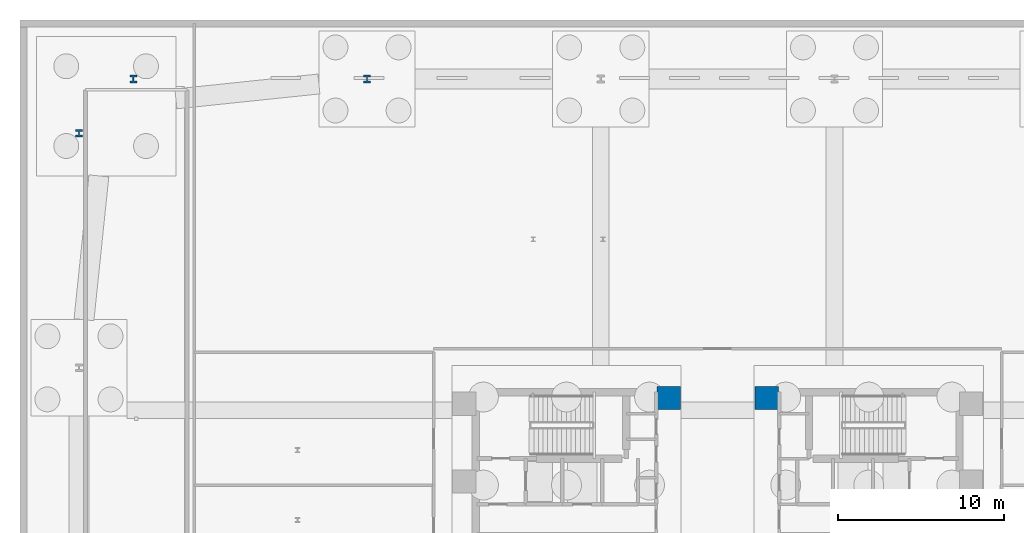
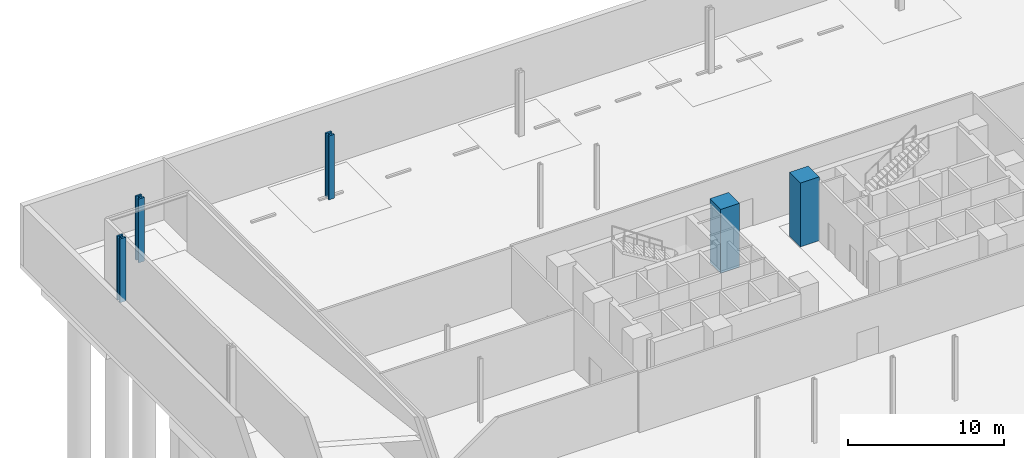
# One storey, part 6 of 16: 5 columns.
"""IFC4 building model written with IfcOpenShell, lengths in metres."""

from ifc_helpers import new_model, si_unit, direction, frame, origin, origin_2d, place, context, subcontext, project, spatial, rectangle, i_section, extrude, material, material_profile, profile_set, type_object, element, save


model = new_model("IFC4")

# Units and contexts
model_context = context("Model", 3, precision=1e-05, world=origin(), true_north=direction((0.0, 1.0)))
body_context = subcontext(model_context, "Body", "Model", "MODEL_VIEW")
ifc_project = project(units=[si_unit("LENGTHUNIT", "METRE"), si_unit("AREAUNIT", "SQUARE_METRE"), si_unit("VOLUMEUNIT", "CUBIC_METRE"), si_unit("PLANEANGLEUNIT", "RADIAN"), si_unit("MASSUNIT", "GRAM", prefix="KILO")], contexts=[model_context])

# Site, building, storey
site_placement = place(None, origin())
site = spatial("IfcSite", under=ifc_project, at=site_placement, CompositionType="ELEMENT")
building_placement = place(site_placement, origin())
building = spatial("IfcBuilding", under=site, at=building_placement, Name="Menara Jurai Vektor", CompositionType="ELEMENT")
storey_placement = place(building_placement, frame((0.0, 0.0, -5.0)))
storey = spatial("IfcBuildingStorey", under=building, at=storey_placement, Name="B1", CompositionType="ELEMENT", Elevation=-5.0)

# Columns
ifc_material_1 = material(Name="Concrete C60/75", Category="concrete")
ifc_material_profile_1 = material_profile(ifc_material_1, rectangle(XDim=1.39990234375, YDim=1.39990234375, at=origin_2d()), Name="RC 1400x1400")
ifc_profile_set_1 = profile_set([ifc_material_profile_1], Name="Concrete C60/75")
column_type_1 = type_object("IfcColumnType", Name="STR-COL-RC1400", PredefinedType="COLUMN", material=ifc_profile_set_1)
for number, where, z_axis, x_axis, name in (
    (1, (-2.949951171875, 5.25, 0.0), (0.0, 0.0, 1.0), (1.0, 0.0, 0.0), "Core Spine Column CW-NE B1"),
    (2, (2.949951171875, 5.25, 0.0), (0.0, 0.0, 1.0), (1.0, 0.0, 0.0), "Core Spine Column CE-NW B1"),
):
    element("IfcColumn", number, at=place(storey_placement, frame(where, z_axis=z_axis, x_axis=x_axis)), inside=storey, type_object=column_type_1, Name=name, PredefinedType="COLUMN", context=body_context, shape_type="SweptSolid", body=[
        extrude(rectangle(XDim=1.39990234375, YDim=1.39990234375, at=origin_2d()), origin(), (0.0, 0.0, 1.0), 5.0),
    ])
ifc_material_2 = material(Name="Steel S460", Category="steel")
ifc_material_profile_2 = material_profile(ifc_material_2, i_section(OverallWidth=0.427978515625, OverallDepth=0.468994140625, WebThickness=0.077880859375, FlangeThickness=0.125, FilletRadius=0.014892578125, at=origin_2d()), Name="HD 400x1086")
ifc_profile_set_2 = profile_set([ifc_material_profile_2], Name="Steel S460")
column_type_2 = type_object("IfcColumnType", Name="STR-PILOTIS-HD1086", PredefinedType="USERDEFINED", material=ifc_profile_set_2)
for number, where, z_axis, x_axis, name in (
    (3, (-21.106689453125, 24.449951171875, 0.0), (0.0, 0.0, 1.0), (1.0, 0.0, 0.0), "Open Pilotis Stilt Column PLT-N5 B1"),
    (4, (-35.177734375, 24.449951171875, 0.0), (0.0, 0.0, 1.0), (1.0, 0.0, 0.0), "Open Pilotis Stilt Column PLT-N6 B1"),
    (5, (-38.449951171875, 21.177734375, 0.0), (0.0, 0.0, 1.0), (1.0, 0.0, 0.0), "Open Pilotis Stilt Column PLT-W1 B1"),
):
    element("IfcColumn", number, at=place(storey_placement, frame(where, z_axis=z_axis, x_axis=x_axis)), inside=storey, type_object=column_type_2, Name=name, ObjectType="PILOTIS", PredefinedType="USERDEFINED", context=body_context, shape_type="SweptSolid", body=[
        extrude(i_section(OverallWidth=0.427978515625, OverallDepth=0.468994140625, WebThickness=0.077880859375, FlangeThickness=0.125, FilletRadius=0.014892578125, at=origin_2d()), origin(), (0.0, 0.0, 1.0), 5.0),
    ])

save(model, "model.ifc")
